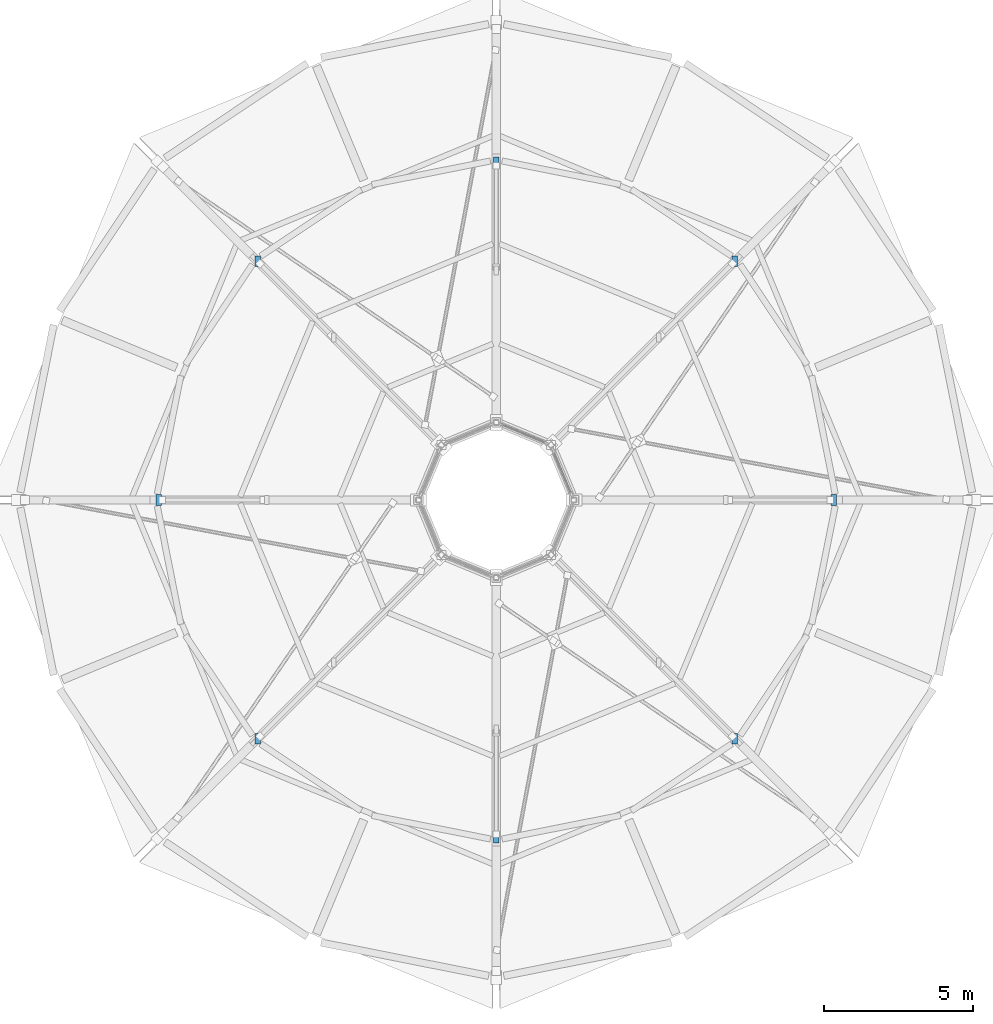
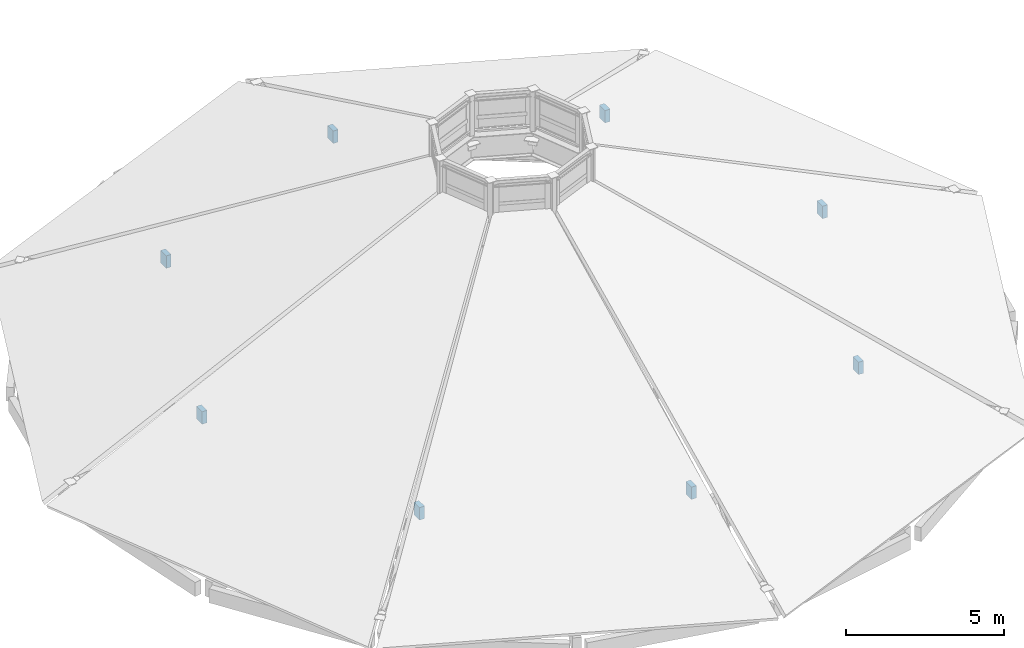
# One storey, part 39 of 66: 8 members.
"""IFC4 building model written with IfcOpenShell, lengths in metres."""

from ifc_helpers import new_model, si_unit, direction, frame, origin, origin_2d, place, context, subcontext, project, spatial, rectangle, extrude, material, material_profile, profile_set, type_object, element, save


model = new_model("IFC4")

# Units and contexts
model_context = context("Model", 3, precision=1e-05, world=origin(), true_north=direction((0.0, 1.0)))
body_context = subcontext(model_context, "Body", "Model", "MODEL_VIEW")
ifc_project = project(units=[si_unit("LENGTHUNIT", "METRE"), si_unit("AREAUNIT", "SQUARE_METRE"), si_unit("VOLUMEUNIT", "CUBIC_METRE"), si_unit("PLANEANGLEUNIT", "RADIAN"), si_unit("MASSUNIT", "GRAM", prefix="KILO")], contexts=[model_context])

# Site, building, storey
site_placement = place(None, origin())
site = spatial("IfcSite", under=ifc_project, at=site_placement, CompositionType="ELEMENT")
building_placement = place(site_placement, origin())
building = spatial("IfcBuilding", under=site, at=building_placement, Name="Caldaven Crescent School", CompositionType="ELEMENT")
storey_placement = place(building_placement, frame((0.0, 0.0, 8.159912109375)))
storey = spatial("IfcBuildingStorey", under=building, at=storey_placement, Name="L02", CompositionType="ELEMENT", Elevation=8.159912109375)

# Members
ifc_material = material(Name="Glulam MLE24h (GL28h)", Category="wood")
ifc_material_profile = material_profile(ifc_material, rectangle(XDim=0.179931640625, YDim=0.360107421875, at=origin_2d()), Name="MLE 180x360")
ifc_profile_set = profile_set([ifc_material_profile], Name="Glulam MLE24h (GL28h)")
member_type = type_object("IfcMemberType", Name="ST-GL36", PredefinedType="STRUT", material=ifc_profile_set)
for number, where, z_axis, x_axis, name in (
    (1, (34.81005859375, 98.5, 1.170166015625), (0.0, 0.0, 1.0), (1.0, 0.0, 0.0), "WS-V2-00-0"),
    (2, (31.497314453125, 106.497314453125, 1.170166015625), (0.0, 0.0, 1.0), (1.0, 0.0, 0.0), "WS-V2-01-0"),
    (3, (23.5, 109.81005859375, 1.170166015625), (0.0, 0.0, 1.0), (1.0, 0.0, 0.0), "WS-V2-02-0"),
    (4, (15.502685546875, 106.497314453125, 1.170166015625), (0.0, 0.0, 1.0), (1.0, 0.0, 0.0), "WS-V2-03-0"),
    (5, (12.18994140625, 98.5, 1.170166015625), (0.0, 0.0, 1.0), (1.0, 0.0, 0.0), "WS-V2-04-0"),
    (6, (15.502685546875, 90.502685546875, 1.170166015625), (0.0, 0.0, 1.0), (1.0, 0.0, 0.0), "WS-V2-05-0"),
    (7, (23.5, 87.18994140625, 1.170166015625), (0.0, 0.0, 1.0), (1.0, 0.0, 0.0), "WS-V2-06-0"),
    (8, (31.497314453125, 90.502685546875, 1.170166015625), (0.0, 0.0, 1.0), (1.0, 0.0, 0.0), "WS-V2-07-0"),
):
    element("IfcMember", number, at=place(storey_placement, frame(where, z_axis=z_axis, x_axis=x_axis)), inside=storey, type_object=member_type, Name=name, PredefinedType="STRUT", context=body_context, shape_type="SweptSolid", body=[
        extrude(rectangle(XDim=0.179931640625, YDim=0.360107421875, at=origin_2d()), origin(), (0.0, 0.0, 1.0), 0.47998046875),
    ])

save(model, "model.ifc")
